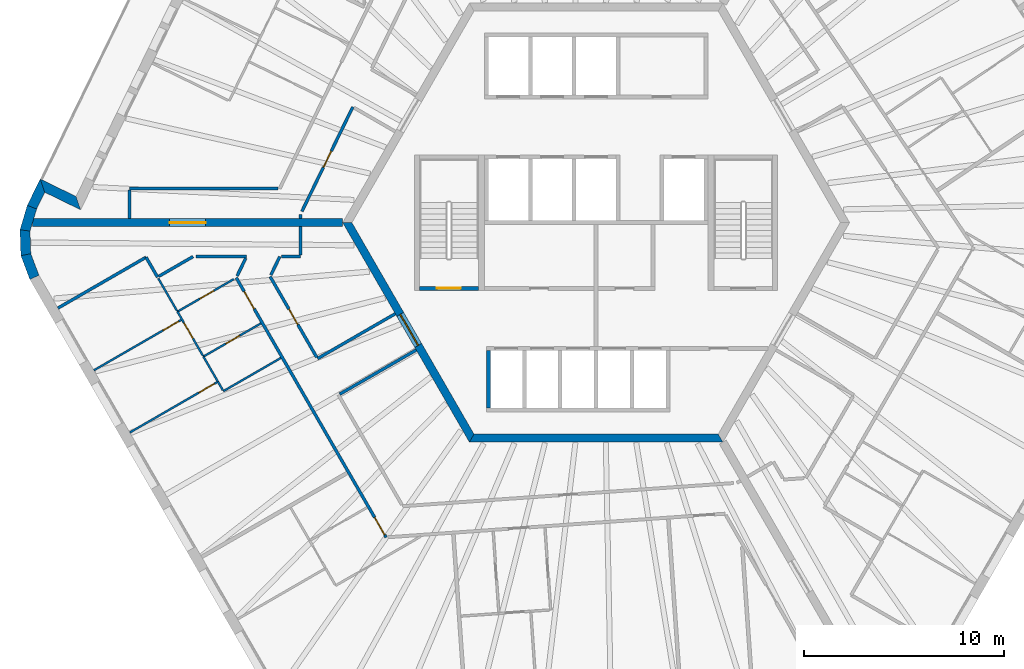
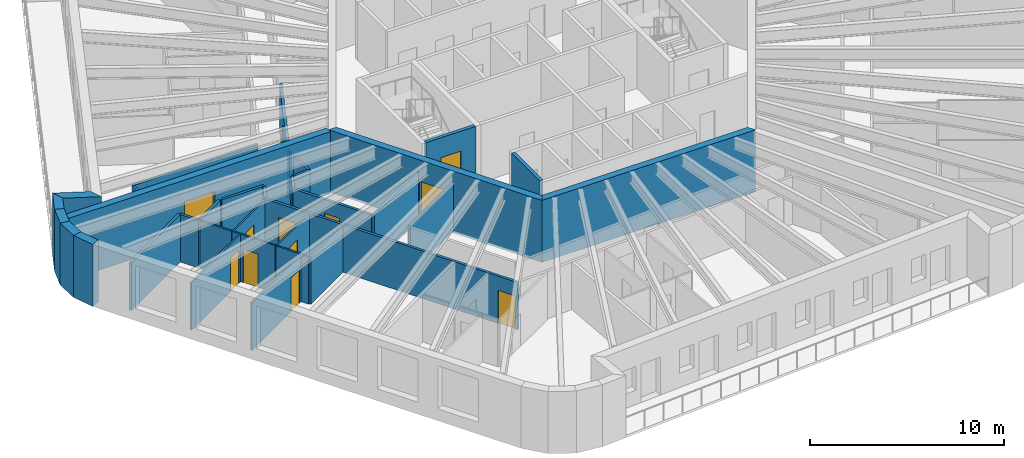
# One storey, part 4 of 12: 35 walls, 12 doors, 12 openings.
"""IFC4 building model written with IfcOpenShell, lengths in metres."""

import ifcopenshell
import ifcopenshell.guid

model = None  # the IFC model being written
_history = None  # IfcOwnerHistory: only IFC2X3 demands one
_inside = {}  # id of a spatial element -> (the spatial element, [elements in it])
_under = {}  # id of a project, library or spatial element -> (it, [spatial elements below it])
_declared = {}  # id of a project -> (the project, [libraries it declares])
_typed = {}  # id of a type object -> (the type object, [elements of that type])
_made_of = {}  # id of a material, layer set ... -> (it, [elements and type objects made of it])


def new_model(schema):
    """Start an empty IFC model of exactly this schema.

    Asked for "IFC4X3", IfcOpenShell would pick the latest addendum, in which some entities
    have other attributes; the version numbers below select the first issue.
    IFC2X3 requires an IfcOwnerHistory on every rooted entity: one is made here for all.
    """
    global model, _history
    if schema == "IFC4X3":
        model = ifcopenshell.file(schema_version=(4, 3, 0, 0))
    else:
        model = ifcopenshell.file(schema=schema)
    _inside.clear()
    _under.clear()
    _declared.clear()
    _typed.clear()
    _made_of.clear()
    _history = None
    if model.schema == "IFC2X3":
        org = make("IfcOrganization", Name="unknown")
        user = make(
            "IfcPersonAndOrganization",
            ThePerson=make("IfcPerson", FamilyName="unknown"),
            TheOrganization=org,
        )
        app = make(
            "IfcApplication",
            ApplicationDeveloper=org,
            Version="unknown",
            ApplicationFullName="unknown",
            ApplicationIdentifier="unknown",
        )
        _history = make(
            "IfcOwnerHistory",
            OwningUser=user,
            OwningApplication=app,
            ChangeAction="ADDED",
            CreationDate=0,
        )
    return model


def make(cls, **values):
    """One entity of the class cls with the attributes given. An attribute that is None is left unset."""
    return model.create_entity(
        cls, **{name: value for name, value in values.items() if value is not None}
    )


def rooted(cls, **values):
    """An entity with a GlobalId (a new one), such as an element, a storey or a relation."""
    return make(cls, GlobalId=ifcopenshell.guid.new(), OwnerHistory=_history, **values)


def si_unit(unit_type, name, prefix=None):
    """IfcSIUnit, for example si_unit("LENGTHUNIT", "METRE", prefix="MILLI")."""
    return make("IfcSIUnit", UnitType=unit_type, Prefix=prefix, Name=name)


def assignment(units):
    """IfcUnitAssignment: the units of a project."""
    return None if units is None else make("IfcUnitAssignment", Units=units)


def point(xyz):
    """IfcCartesianPoint."""
    return None if xyz is None else make("IfcCartesianPoint", Coordinates=xyz)


def direction(xyz):
    """IfcDirection."""
    return None if xyz is None else make("IfcDirection", DirectionRatios=xyz)


def frame(location, z_axis=None, x_axis=None):
    """IfcAxis2Placement3D, a coordinate frame: its origin and axes. An axis left out is left unset."""
    return make(
        "IfcAxis2Placement3D",
        Location=point(location),
        Axis=direction(z_axis),
        RefDirection=direction(x_axis),
    )


def frame_2d(location, x_axis=None):
    """IfcAxis2Placement2D, a coordinate frame in the plane: its origin and x axis."""
    return make(
        "IfcAxis2Placement2D", Location=point(location), RefDirection=direction(x_axis)
    )


def origin():
    """The frame at (0, 0, 0) with its axes left unset."""
    return frame((0.0, 0.0, 0.0))


def place(relative_to, where):
    """IfcLocalPlacement: puts the frame where relative to a parent placement (None: the world)."""
    return make(
        "IfcLocalPlacement", PlacementRelTo=relative_to, RelativePlacement=where
    )


def context(
    kind, dimensions, precision=None, world=None, true_north=None, identifier=None
):
    """IfcGeometricRepresentationContext, for example the 3D "Model" context."""
    return make(
        "IfcGeometricRepresentationContext",
        ContextIdentifier=identifier,
        ContextType=kind,
        CoordinateSpaceDimension=dimensions,
        Precision=precision,
        WorldCoordinateSystem=world,
        TrueNorth=true_north,
    )


def subcontext(parent, identifier, kind, view, scale=None):
    """IfcGeometricRepresentationSubContext, for example "Body" below "Model"."""
    return make(
        "IfcGeometricRepresentationSubContext",
        ContextIdentifier=identifier,
        ContextType=kind,
        ParentContext=parent,
        TargetScale=scale,
        TargetView=view,
    )


def project(units=None, contexts=None):
    """IfcProject with its units and contexts."""
    return rooted(
        "IfcProject",
        Name="project",
        RepresentationContexts=contexts,
        UnitsInContext=assignment(units),
    )


def spatial(cls, under=None, at=None, **own):
    """A site, building, storey or space (cls), placed at a placement, below another one or the project."""
    s = rooted(cls, ObjectPlacement=at, **own)
    if under is not None:
        _under.setdefault(under.id(), (under, []))[1].append(s)
    return s


def polyline(points):
    """IfcPolyline through the points."""
    return make("IfcPolyline", Points=[point(p) for p in points])


def profile(cls, at=None, kind="AREA", **sizes):
    """A parametric profile (cls). Its sizes go by their IFC names, for example OverallWidth=200.0."""
    return make(cls, ProfileType=kind, Position=at, **sizes)


def rectangle(**sizes):
    """IfcRectangleProfileDef."""
    return profile("IfcRectangleProfileDef", **sizes)


def outline(outer, holes=None, kind="AREA"):
    """IfcArbitraryClosedProfileDef: a profile drawn as a closed curve; with holes, ...WithVoids."""
    if holes is None:
        return make("IfcArbitraryClosedProfileDef", ProfileType=kind, OuterCurve=outer)
    return make(
        "IfcArbitraryProfileDefWithVoids",
        ProfileType=kind,
        OuterCurve=outer,
        InnerCurves=holes,
    )


def extrude(swept, where, along, depth):
    """IfcExtrudedAreaSolid: the profile swept, set in the frame where, extruded along a direction by depth."""
    return make(
        "IfcExtrudedAreaSolid",
        SweptArea=swept,
        Position=where,
        ExtrudedDirection=direction(along),
        Depth=depth,
    )


def shape(context_of_items, identifier, shape_type, items):
    """IfcShapeRepresentation: the items that make up one representation, for example the "Body"."""
    return make(
        "IfcShapeRepresentation",
        ContextOfItems=context_of_items,
        RepresentationIdentifier=identifier,
        RepresentationType=shape_type,
        Items=items,
    )


def material(Name=None, Category=None):
    """IfcMaterial."""
    return make("IfcMaterial", Name=Name, Category=Category)


def layer(
    of_material, thickness, ventilated=None, Name=None, Category=None, Priority=None
):
    """IfcMaterialLayer: one layer of a wall or slab, of a material (None: an air gap)."""
    return make(
        "IfcMaterialLayer",
        Material=of_material,
        LayerThickness=thickness,
        IsVentilated=ventilated,
        Name=Name,
        Category=Category,
        Priority=Priority,
    )


def layer_set(layers, Name=None):
    """IfcMaterialLayerSet."""
    return make("IfcMaterialLayerSet", MaterialLayers=layers, LayerSetName=Name)


def made_of(thing, what):
    """Note that an element or type object is made of a material, layer set ...; save() writes the relation."""
    if what is not None:
        _made_of.setdefault(what.id(), (what, []))[1].append(thing)
    return thing


def type_object(cls, material=None, **own):
    """A type object (cls), such as IfcWallType, which elements share."""
    return made_of(rooted(cls, **own), material)


def element(
    cls,
    number,
    at=None,
    inside=None,
    cuts=None,
    type_object=None,
    material=None,
    context=None,
    identifier="Body",
    shape_type=None,
    held_by="IfcProductDefinitionShape",
    body=None,
    shapes=None,
    **own,
):
    """One element of the class cls, such as IfcWall. Its Tag is "e" and its number.

    at: its placement. inside: the storey or other place that contains it. cuts: it is an
    opening in that element (IfcRelVoidsElement). A single representation is given by context,
    identifier, shape_type and body (its items); several are given by shapes. held_by: the class
    of the entity that holds the representations. save() writes the other relations.
    """
    e = rooted(cls, Tag="e%d" % number, ObjectPlacement=at, **own)
    if body is not None:
        shapes = [shape(context, identifier, shape_type, body)]
    if shapes is not None:
        e.Representation = make(held_by, Representations=shapes)
    if inside is not None:
        _inside.setdefault(inside.id(), (inside, []))[1].append(e)
    if cuts is not None:
        rooted(
            "IfcRelVoidsElement", RelatingBuildingElement=cuts, RelatedOpeningElement=e
        )
    if type_object is not None:
        _typed.setdefault(type_object.id(), (type_object, []))[1].append(e)
    return made_of(e, material)


def fill(opening, filler):
    """IfcRelFillsElement: the door or window that sits in an opening."""
    return rooted(
        "IfcRelFillsElement",
        RelatingOpeningElement=opening,
        RelatedBuildingElement=filler,
    )


def aggregate(whole, parts):
    """IfcRelAggregates: a whole, such as a stair, and the parts it consists of."""
    return rooted("IfcRelAggregates", RelatingObject=whole, RelatedObjects=parts)


def save(model, path):
    """Write the relations noted so far, then the file.

    IfcRelAggregates (storeys below a building ...), IfcRelContainedInSpatialStructure (elements
    in a storey), IfcRelDefinesByType, IfcRelAssociatesMaterial and IfcRelDeclares: one each for
    every whole, place, type object, material and project.
    """
    for whole, parts in _under.values():
        aggregate(whole, parts)
    for where, things in _inside.values():
        rooted(
            "IfcRelContainedInSpatialStructure",
            RelatedElements=things,
            RelatingStructure=where,
        )
    for kind, things in _typed.values():
        rooted("IfcRelDefinesByType", RelatedObjects=things, RelatingType=kind)
    for what, things in _made_of.values():
        rooted("IfcRelAssociatesMaterial", RelatedObjects=things, RelatingMaterial=what)
    for by, libraries in _declared.values():
        rooted("IfcRelDeclares", RelatingContext=by, RelatedDefinitions=libraries)
    model.write(path)


model = new_model("IFC4")

# Units and contexts
model_context = context("Model", 3, precision=1e-05, world=origin(), true_north=direction((0.0, 1.0)))
body_context = subcontext(model_context, "Body", "Model", "MODEL_VIEW")
ifc_project = project(units=[si_unit("LENGTHUNIT", "METRE"), si_unit("AREAUNIT", "SQUARE_METRE"), si_unit("VOLUMEUNIT", "CUBIC_METRE"), si_unit("PLANEANGLEUNIT", "RADIAN"), si_unit("MASSUNIT", "GRAM", prefix="KILO")], contexts=[model_context])

# Site, building, storey
site_placement = place(None, origin())
site = spatial("IfcSite", under=ifc_project, at=site_placement, CompositionType="ELEMENT")
building_placement = place(site_placement, origin())
building = spatial("IfcBuilding", under=site, at=building_placement, Name="Tarnside Tower", CompositionType="ELEMENT")
storey_placement = place(building_placement, frame((0.0, 0.0, 310.800048828125)))
storey = spatial("IfcBuildingStorey", under=building, at=storey_placement, Name="L75", CompositionType="ELEMENT", Elevation=310.800048828125)

# Walls
ifc_material_1 = material(Name="Gypsum board partition on steel studs", Category="steel")
ifc_layer_1 = layer(ifc_material_1, 0.10009765625)
ifc_layer_set_1 = layer_set([ifc_layer_1], Name="Bathroom wall 100")
wall_type_1 = type_object("IfcWallType", Name="Bathroom wall 100", PredefinedType="PARTITIONING", material=ifc_layer_set_1)
wall_1_placement = place(storey_placement, frame((-15.80078125, -6.782470703125, 0.0), z_axis=(0.0, 0.0, 1.0), x_axis=(-0.866033959199, -0.499985181294, 0.0)))
element("IfcWall", 1, at=wall_1_placement, inside=storey, type_object=wall_type_1, Name="Bathroom wall 24113", PredefinedType="PARTITIONING", context=body_context, shape_type="SweptSolid", body=[
    extrude(rectangle(XDim=3.32470703125, YDim=0.10009765625, at=frame_2d((1.662353515625, 0.0))), origin(), (0.0, 0.0, 1.0), 2.98779296875),
])
wall_2_placement = place(storey_placement, frame((-18.705322265625, -8.401611328125, 0.0), z_axis=(0.0, 0.0, 1.0), x_axis=(-0.499863173377, 0.866104386261, 0.0)))
element("IfcWall", 2, at=wall_2_placement, inside=storey, type_object=wall_type_1, Name="Bathroom wall 24114", PredefinedType="PARTITIONING", context=body_context, shape_type="SweptSolid", body=[
    extrude(rectangle(XDim=0.500732421875, YDim=0.10009765625, at=frame_2d((0.25048828125, 0.0))), origin(), (0.0, 0.0, 1.0), 2.98779296875),
])

# Wall, opening, door
wall_3_placement = place(storey_placement, frame((-19.68017578125, -6.712890625, 0.0), z_axis=(0.0, 0.0, 1.0), x_axis=(0.866002163101, 0.500040251884, 0.0)))
wall_3 = element("IfcWall", 3, at=wall_3_placement, inside=storey, type_object=wall_type_1, Name="Bathroom wall 24118", PredefinedType="PARTITIONING", context=body_context, shape_type="SweptSolid", body=[
    extrude(rectangle(XDim=3.324951171875, YDim=0.10009765625, at=frame_2d((1.66259765625, 0.0))), origin(), (0.0, 0.0, 1.0), 2.98779296875),
])
opening_1_placement = place(wall_3_placement, frame((1.300048828125, 0.0, 0.0)))
opening_1 = element("IfcOpeningElement", 4, at=opening_1_placement, cuts=wall_3, Name="Opening D-B1", PredefinedType="OPENING", context=body_context, shape_type="SweptSolid", body=[
    extrude(rectangle(XDim=0.800048828125, YDim=2.10009765625, at=frame_2d((0.39990234375, 1.050048828125))), frame((0.0, 0.06005859375, 0.0), z_axis=(0.0, -1.0, 0.0), x_axis=(1.0, 0.0, 0.0)), (0.0, 0.0, 1.0), 0.1201171875),
])
ifc_material_2 = material(Name="Timber door leaf", Category="wood")
door_type_1 = type_object("IfcDoorType", Name="Bathroom door 800", OperationType="NOTDEFINED", PredefinedType="DOOR", material=ifc_material_2)
door_1_placement = place(opening_1_placement, origin())
door_1 = element("IfcDoor", 5, at=door_1_placement, inside=storey, type_object=door_type_1, Name="Bathroom door 24023", OperationType="SINGLE_SWING_LEFT", OverallHeight=2.10009765625, OverallWidth=0.800048828125, PredefinedType="DOOR", context=body_context, shape_type="SweptSolid", body=[
    extrude(rectangle(XDim=0.800048828125, YDim=2.10009765625, at=frame_2d((0.39990234375, 1.050048828125))), frame((0.0, 0.02490234375, 0.0), z_axis=(0.0, -1.0, 0.0), x_axis=(1.0, 0.0, 0.0)), (0.0, 0.0, 1.0), 0.050048828125),
])
fill(opening_1, door_1)

wall_4_placement = place(storey_placement, frame((-18.15185546875, -2.828125, 0.0), z_axis=(0.0, 0.0, 1.0), x_axis=(-0.866012548765, -0.500022264885, 0.0)))
wall_4 = element("IfcWall", 6, at=wall_4_placement, inside=storey, type_object=wall_type_1, Name="Bathroom wall 24121", PredefinedType="PARTITIONING", context=body_context, shape_type="SweptSolid", body=[
    extrude(rectangle(XDim=3.265869140625, YDim=0.10009765625, at=frame_2d((1.6328125, 0.0))), origin(), (0.0, 0.0, 1.0), 2.98779296875),
])
opening_2_placement = place(wall_4_placement, frame((1.165771484375, 0.0, 0.0)))
opening_2 = element("IfcOpeningElement", 7, at=opening_2_placement, cuts=wall_4, Name="Opening D-B1", PredefinedType="OPENING", context=body_context, shape_type="SweptSolid", body=[
    extrude(rectangle(XDim=0.800048828125, YDim=2.10009765625, at=frame_2d((0.39990234375, 1.050048828125))), frame((0.0, 0.06005859375, 0.0), z_axis=(0.0, -1.0, 0.0), x_axis=(1.0, 0.0, 0.0)), (0.0, 0.0, 1.0), 0.1201171875),
])
door_2_placement = place(opening_2_placement, origin())
door_2 = element("IfcDoor", 8, at=door_2_placement, inside=storey, type_object=door_type_1, Name="Bathroom door 24032", OperationType="SINGLE_SWING_RIGHT", OverallHeight=2.10009765625, OverallWidth=0.800048828125, PredefinedType="DOOR", context=body_context, shape_type="SweptSolid", body=[
    extrude(rectangle(XDim=0.800048828125, YDim=2.10009765625, at=frame_2d((0.39990234375, 1.050048828125))), frame((0.0, 0.02490234375, 0.0), z_axis=(0.0, -1.0, 0.0), x_axis=(1.0, 0.0, 0.0)), (0.0, 0.0, 1.0), 0.050048828125),
])
fill(opening_2, door_2)

# Walls
wall_5_placement = place(storey_placement, frame((-19.68115234375, -6.711181640625, 0.0), z_axis=(0.0, 0.0, 1.0), x_axis=(0.499969679245, -0.866042908773, 0.0)))
element("IfcWall", 9, at=wall_5_placement, inside=storey, type_object=wall_type_1, Name="Bathroom wall 24122", PredefinedType="PARTITIONING", context=body_context, shape_type="SweptSolid", body=[
    extrude(rectangle(XDim=1.453125, YDim=0.10009765625, at=frame_2d((0.7265625, 0.0))), origin(), (0.0, 0.0, 1.0), 2.98779296875),
])
wall_6_placement = place(storey_placement, frame((-21.005126953125, -4.41796875, 0.0), z_axis=(0.0, 0.0, 1.0), x_axis=(-0.500004234368, 0.866022959057, 0.0)))
element("IfcWall", 10, at=wall_6_placement, inside=storey, type_object=wall_type_1, Name="Bathroom wall 24124", PredefinedType="PARTITIONING", context=body_context, shape_type="SweptSolid", body=[
    extrude(rectangle(XDim=1.875, YDim=0.10009765625, at=frame_2d((0.9375, 0.0))), origin(), (0.0, 0.0, 1.0), 2.98779296875),
])

# Wall, opening, door
ifc_material_3 = material(Name="Concrete C60/75", Category="concrete")
ifc_layer_2 = layer(ifc_material_3, 0.39990234375)
ifc_layer_set_2 = layer_set([ifc_layer_2], Name="Core wall Z3 400 C60/75")
wall_type_2 = type_object("IfcWallType", Name="Core wall Z3 400 C60/75", PredefinedType="SHEAR", material=ifc_layer_set_2)
wall_7_placement = place(storey_placement, frame((-12.470703125, 0.0, -0.150146484375), z_axis=(0.0, 0.0, 1.0), x_axis=(0.499996419489, -0.866027470984, 0.0)))
wall_7 = element("IfcWall", 11, at=wall_7_placement, inside=storey, type_object=wall_type_2, Name="L75 core wall face 3", PredefinedType="SHEAR", context=body_context, shape_type="SweptSolid", body=[
    extrude(outline(polyline([(-0.115478515625, -0.199951171875), (12.586181640625, -0.199951171875), (12.355224609375, 0.199951171875), (0.115478515625, 0.199951171875), (-0.115478515625, -0.199951171875)])), origin(), (0.0, 0.0, 1.0), 3.900146484375),
])
opening_3_placement = place(wall_7_placement, frame((5.306396484375, 0.0, 0.14990234375)))
opening_3 = element("IfcOpeningElement", 12, at=opening_3_placement, cuts=wall_7, Name="Opening CD-FFL", PredefinedType="OPENING", context=body_context, shape_type="SweptSolid", body=[
    extrude(rectangle(XDim=1.800048828125, YDim=2.39990234375, at=frame_2d((0.89990234375, 1.199951171875))), frame((0.0, 0.2099609375, 0.0), z_axis=(0.0, -1.0, 0.0), x_axis=(1.0, 0.0, 0.0)), (0.0, 0.0, 1.0), 0.419921875),
])
ifc_material_4 = material(Name="Steel fire door", Category="steel")
door_type_2 = type_object("IfcDoorType", Name="Firefighting lobby double door FD60S 1800x2400", OperationType="NOTDEFINED", PredefinedType="DOOR", material=ifc_material_4)
door_3_placement = place(opening_3_placement, origin())
door_3 = element("IfcDoor", 13, at=door_3_placement, inside=storey, type_object=door_type_2, Name="L75 core door P3", OperationType="DOUBLE_DOOR_SINGLE_SWING", OverallHeight=2.39990234375, OverallWidth=1.800048828125, PredefinedType="DOOR", context=body_context, shape_type="SweptSolid", body=[
    extrude(rectangle(XDim=1.800048828125, YDim=2.39990234375, at=frame_2d((0.89990234375, 1.199951171875))), frame((0.0, 0.02490234375, 0.0), z_axis=(0.0, -1.0, 0.0), x_axis=(1.0, 0.0, 0.0)), (0.0, 0.0, 1.0), 0.050048828125),
])
fill(opening_3, door_3)

# Wall
wall_8_placement = place(storey_placement, frame((-6.2353515625, -10.800048828125, -0.150146484375), z_axis=(0.0, 0.0, 1.0), x_axis=(1.0, 0.0, 0.0)))
element("IfcWall", 14, at=wall_8_placement, inside=storey, type_object=wall_type_2, Name="L75 core wall face 4", PredefinedType="SHEAR", context=body_context, shape_type="SweptSolid", body=[
    extrude(outline(polyline([(-0.115478515625, -0.199951171875), (12.586181640625, -0.199951171875), (12.355224609375, 0.199951171875), (0.115478515625, 0.199951171875), (-0.115478515625, -0.199951171875)])), origin(), (0.0, 0.0, 1.0), 3.900146484375),
])

# Wall, opening, door
wall_9_placement = place(storey_placement, frame((-12.70166015625, 0.0, -0.150146484375), z_axis=(0.0, 0.0, 1.0), x_axis=(-1.0, 0.0, 0.0)))
wall_9 = element("IfcWall", 15, at=wall_9_placement, inside=storey, type_object=wall_type_2, Name="L75 spine wall 2", PredefinedType="SHEAR", context=body_context, shape_type="SweptSolid", body=[
    extrude(rectangle(XDim=15.54443359375, YDim=0.39990234375, at=frame_2d((7.772216796875, 0.0))), origin(), (0.0, 0.0, 1.0), 3.900146484375),
])
opening_4_placement = place(wall_9_placement, frame((6.872314453125, 0.0, 0.14990234375)))
opening_4 = element("IfcOpeningElement", 16, at=opening_4_placement, cuts=wall_9, Name="Opening CD-SPN", PredefinedType="OPENING", context=body_context, shape_type="SweptSolid", body=[
    extrude(rectangle(XDim=1.800048828125, YDim=2.39990234375, at=frame_2d((0.89990234375, 1.199951171875))), frame((0.0, 0.2099609375, 0.0), z_axis=(0.0, -1.0, 0.0), x_axis=(1.0, 0.0, 0.0)), (0.0, 0.0, 1.0), 0.419921875),
])
door_type_3 = type_object("IfcDoorType", Name="Spine passage double door FD60 1800x2400", OperationType="NOTDEFINED", PredefinedType="DOOR", material=ifc_material_4)
door_4_placement = place(opening_4_placement, origin())
door_4 = element("IfcDoor", 17, at=door_4_placement, inside=storey, type_object=door_type_3, Name="L75 spine passage door 2", OperationType="DOUBLE_DOOR_SINGLE_SWING", OverallHeight=2.39990234375, OverallWidth=1.800048828125, PredefinedType="DOOR", context=body_context, shape_type="SweptSolid", body=[
    extrude(rectangle(XDim=1.800048828125, YDim=2.39990234375, at=frame_2d((0.89990234375, 1.199951171875))), frame((0.0, 0.02490234375, 0.0), z_axis=(0.0, -1.0, 0.0), x_axis=(1.0, 0.0, 0.0)), (0.0, 0.0, 1.0), 0.050048828125),
])
fill(opening_4, door_4)

# Walls
ifc_layer_3 = layer(ifc_material_1, 0.14990234375)
ifc_layer_set_3 = layer_set([ifc_layer_3], Name="Corridor wall 150 EI 60")
wall_type_3 = type_object("IfcWallType", Name="Corridor wall 150 EI 60", PredefinedType="PARTITIONING", material=ifc_layer_set_3)
wall_10_placement = place(storey_placement, frame((-15.943359375, 1.699951171875, 0.0), z_axis=(0.0, 0.0, 1.0), x_axis=(-1.0, 0.0, 0.0)))
element("IfcWall", 18, at=wall_10_placement, inside=storey, type_object=wall_type_3, Name="Corridor wall 24013", PredefinedType="PARTITIONING", context=body_context, shape_type="SweptSolid", body=[
    extrude(rectangle(XDim=7.4306640625, YDim=0.14990234375, at=frame_2d((3.71533203125, 0.0))), origin(), (0.0, 0.0, 1.0), 2.98779296875),
])
wall_11_placement = place(storey_placement, frame((-23.3740234375, 1.625, 0.0), z_axis=(0.0, 0.0, 1.0), x_axis=(0.0, -1.0, 0.0)))
element("IfcWall", 19, at=wall_11_placement, inside=storey, type_object=wall_type_3, Name="Corridor wall 24014", PredefinedType="PARTITIONING", context=body_context, shape_type="SweptSolid", body=[
    extrude(rectangle(XDim=1.425048828125, YDim=0.14990234375, at=frame_2d((0.71240234375, 0.0))), origin(), (0.0, 0.0, 1.0), 2.98779296875),
])
wall_12_placement = place(storey_placement, frame((-14.820068359375, 0.199951171875, 0.0), z_axis=(0.0, 0.0, 1.0), x_axis=(0.0, 1.0, 0.0)))
element("IfcWall", 20, at=wall_12_placement, inside=storey, type_object=wall_type_3, Name="Corridor wall 24023", PredefinedType="PARTITIONING", context=body_context, shape_type="SweptSolid", body=[
    extrude(rectangle(XDim=0.210205078125, YDim=0.14990234375, at=frame_2d((0.10498046875, 0.0))), origin(), (0.0, 0.0, 1.0), 2.98779296875),
])

# Wall, opening, door
wall_13_placement = place(storey_placement, frame((-14.7451171875, 0.563720703125, 0.0), z_axis=(0.0, 0.0, 1.0), x_axis=(0.438348416625, 0.898805132185, 0.0)))
wall_13 = element("IfcWall", 21, at=wall_13_placement, inside=storey, type_object=wall_type_3, Name="Corridor wall 24024", PredefinedType="PARTITIONING", context=body_context, shape_type="SweptSolid", body=[
    extrude(rectangle(XDim=5.819580078125, YDim=0.14990234375, at=frame_2d((2.90966796875, 0.0))), origin(), (0.0, 0.0, 1.0), 2.98779296875),
])
opening_5_placement = place(wall_13_placement, frame((2.459716796875, 0.0, 0.0)))
opening_5 = element("IfcOpeningElement", 22, at=opening_5_placement, cuts=wall_13, Name="Opening D-S1", PredefinedType="OPENING", context=body_context, shape_type="SweptSolid", body=[
    extrude(rectangle(XDim=0.89990234375, YDim=2.10009765625, at=frame_2d((0.449951171875, 1.050048828125))), frame((0.0, 0.0849609375, 0.0), z_axis=(0.0, -1.0, 0.0), x_axis=(1.0, 0.0, 0.0)), (0.0, 0.0, 1.0), 0.169921875),
])
door_type_4 = type_object("IfcDoorType", Name="Service room door 900 FD30S", OperationType="NOTDEFINED", PredefinedType="DOOR", material=ifc_material_2)
door_5_placement = place(opening_5_placement, origin())
door_5 = element("IfcDoor", 23, at=door_5_placement, inside=storey, type_object=door_type_4, Name="Service door 24064", OperationType="SINGLE_SWING_RIGHT", OverallHeight=2.10009765625, OverallWidth=0.89990234375, PredefinedType="DOOR", context=body_context, shape_type="SweptSolid", body=[
    extrude(rectangle(XDim=0.89990234375, YDim=2.10009765625, at=frame_2d((0.449951171875, 1.050048828125))), frame((0.0, 0.02490234375, 0.0), z_axis=(0.0, -1.0, 0.0), x_axis=(1.0, 0.0, 0.0)), (0.0, 0.0, 1.0), 0.050048828125),
])
fill(opening_5, door_5)

# Wall, openings, doors
wall_14_placement = place(storey_placement, frame((-18.03564453125, -2.76123046875, 0.0), z_axis=(0.0, 0.0, 1.0), x_axis=(0.499996279807, -0.866027551628, 0.0)))
wall_14 = element("IfcWall", 24, at=wall_14_placement, inside=storey, type_object=wall_type_3, Name="Corridor wall 24026", PredefinedType="PARTITIONING", context=body_context, shape_type="SweptSolid", body=[
    extrude(rectangle(XDim=15.02392578125, YDim=0.14990234375, at=frame_2d((7.511962890625, 0.0))), origin(), (0.0, 0.0, 1.0), 2.98779296875),
])
opening_6_placement = place(wall_14_placement, frame((0.800048828125, 0.0, 0.0)))
opening_6 = element("IfcOpeningElement", 25, at=opening_6_placement, cuts=wall_14, Name="Opening D-E1", PredefinedType="OPENING", context=body_context, shape_type="SweptSolid", body=[
    extrude(rectangle(XDim=1.0, YDim=2.10009765625, at=frame_2d((0.5, 1.050048828125))), frame((0.0, 0.0849609375, 0.0), z_axis=(0.0, -1.0, 0.0), x_axis=(1.0, 0.0, 0.0)), (0.0, 0.0, 1.0), 0.169921875),
])
opening_7_placement = place(wall_14_placement, frame((13.874267578125, 0.0, 0.0)))
opening_7 = element("IfcOpeningElement", 26, at=opening_7_placement, cuts=wall_14, Name="Opening D-E1", PredefinedType="OPENING", context=body_context, shape_type="SweptSolid", body=[
    extrude(rectangle(XDim=1.0, YDim=2.10009765625, at=frame_2d((0.5, 1.050048828125))), frame((0.0, 0.0849609375, 0.0), z_axis=(0.0, -1.0, 0.0), x_axis=(1.0, 0.0, 0.0)), (0.0, 0.0, 1.0), 0.169921875),
])
door_type_5 = type_object("IfcDoorType", Name="Unit entrance door 1000 FD30S", OperationType="NOTDEFINED", PredefinedType="DOOR", material=ifc_material_2)
door_6_placement = place(opening_6_placement, origin())
door_6 = element("IfcDoor", 27, at=door_6_placement, inside=storey, type_object=door_type_5, Name="Unit door 24022", OperationType="SINGLE_SWING_RIGHT", OverallHeight=2.10009765625, OverallWidth=1.0, PredefinedType="DOOR", context=body_context, shape_type="SweptSolid", body=[
    extrude(rectangle(XDim=1.0, YDim=2.10009765625, at=frame_2d((0.5, 1.050048828125))), frame((0.0, 0.02490234375, 0.0), z_axis=(0.0, -1.0, 0.0), x_axis=(1.0, 0.0, 0.0)), (0.0, 0.0, 1.0), 0.050048828125),
])
fill(opening_6, door_6)
door_7_placement = place(opening_7_placement, origin())
door_7 = element("IfcDoor", 28, at=door_7_placement, inside=storey, type_object=door_type_5, Name="Unit door 24033", OperationType="SINGLE_SWING_LEFT", OverallHeight=2.10009765625, OverallWidth=1.0, PredefinedType="DOOR", context=body_context, shape_type="SweptSolid", body=[
    extrude(rectangle(XDim=1.0, YDim=2.10009765625, at=frame_2d((0.5, 1.050048828125))), frame((0.0, 0.02490234375, 0.0), z_axis=(0.0, -1.0, 0.0), x_axis=(1.0, 0.0, 0.0)), (0.0, 0.0, 1.0), 0.050048828125),
])
fill(opening_7, door_7)

# Walls
wall_15_placement = place(storey_placement, frame((-26.97119140625, -4.284423828125, 0.0), z_axis=(0.0, 0.0, 1.0), x_axis=(0.866024511559, 0.500001545377, 0.0)))
element("IfcWall", 29, at=wall_15_placement, inside=storey, type_object=wall_type_3, Name="Corridor wall 24029", PredefinedType="PARTITIONING", context=body_context, shape_type="SweptSolid", body=[
    extrude(rectangle(XDim=5.0986328125, YDim=0.14990234375, at=frame_2d((2.54931640625, 0.0))), origin(), (0.0, 0.0, 1.0), 2.98779296875),
])
wall_16_placement = place(storey_placement, frame((-22.553955078125, -1.735595703125, 0.0), z_axis=(0.0, 0.0, 1.0), x_axis=(0.500040764516, -0.866001867101, 0.0)))
element("IfcWall", 30, at=wall_16_placement, inside=storey, type_object=wall_type_3, Name="Corridor wall 24030", PredefinedType="PARTITIONING", context=body_context, shape_type="SweptSolid", body=[
    extrude(rectangle(XDim=1.15087890625, YDim=0.14990234375, at=frame_2d((0.575439453125, 0.0))), origin(), (0.0, 0.0, 1.0), 2.98779296875),
])
wall_17_placement = place(storey_placement, frame((-21.915283203125, -2.691650390625, 0.0), z_axis=(0.0, 0.0, 1.0), x_axis=(0.866007234284, 0.500031469177, 0.0)))
element("IfcWall", 31, at=wall_17_placement, inside=storey, type_object=wall_type_3, Name="Corridor wall 24031", PredefinedType="PARTITIONING", context=body_context, shape_type="SweptSolid", body=[
    extrude(rectangle(XDim=1.983154296875, YDim=0.14990234375, at=frame_2d((0.99169921875, 0.0))), origin(), (0.0, 0.0, 1.0), 2.98779296875),
])
wall_18_placement = place(storey_placement, frame((-20.0478515625, -1.699951171875, 0.0), z_axis=(0.0, 0.0, 1.0), x_axis=(1.0, 0.0, 0.0)))
element("IfcWall", 32, at=wall_18_placement, inside=storey, type_object=wall_type_3, Name="Corridor wall 24032", PredefinedType="PARTITIONING", context=body_context, shape_type="SweptSolid", body=[
    extrude(rectangle(XDim=2.52978515625, YDim=0.14990234375, at=frame_2d((1.264892578125, 0.0))), origin(), (0.0, 0.0, 1.0), 2.98779296875),
])
wall_19_placement = place(storey_placement, frame((-17.5546875, -1.77490234375, 0.0), z_axis=(0.0, 0.0, 1.0), x_axis=(-0.438366307753, -0.898796406439, 0.0)))
element("IfcWall", 33, at=wall_19_placement, inside=storey, type_object=wall_type_3, Name="Corridor wall 24033", PredefinedType="PARTITIONING", context=body_context, shape_type="SweptSolid", body=[
    extrude(rectangle(XDim=1.0068359375, YDim=0.14990234375, at=frame_2d((0.50341796875, 0.0))), origin(), (0.0, 0.0, 1.0), 2.98779296875),
])
wall_20_placement = place(storey_placement, frame((-10.065673828125, -4.565673828125, 0.0), z_axis=(0.0, 0.0, 1.0), x_axis=(-0.866031096941, -0.499990139034, 0.0)))
element("IfcWall", 34, at=wall_20_placement, inside=storey, type_object=wall_type_3, Name="Corridor wall 24045", PredefinedType="PARTITIONING", context=body_context, shape_type="SweptSolid", body=[
    extrude(rectangle(XDim=4.5, YDim=0.14990234375, at=frame_2d((2.25, 0.0))), origin(), (0.0, 0.0, 1.0), 2.98779296875),
])

# Wall, opening, door
wall_21_placement = place(storey_placement, frame((-14.000244140625, -6.750732421875, 0.0), z_axis=(0.0, 0.0, 1.0), x_axis=(-0.500008739126, 0.866020358189, 0.0)))
wall_21 = element("IfcWall", 35, at=wall_21_placement, inside=storey, type_object=wall_type_3, Name="Corridor wall 24046", PredefinedType="PARTITIONING", context=body_context, shape_type="SweptSolid", body=[
    extrude(rectangle(XDim=4.67529296875, YDim=0.14990234375, at=frame_2d((2.337646484375, 0.0))), origin(), (0.0, 0.0, 1.0), 2.98779296875),
])
opening_8_placement = place(wall_21_placement, frame((1.8876953125, 0.0, 0.0)))
opening_8 = element("IfcOpeningElement", 36, at=opening_8_placement, cuts=wall_21, Name="Opening D-S1", PredefinedType="OPENING", context=body_context, shape_type="SweptSolid", body=[
    extrude(rectangle(XDim=0.89990234375, YDim=2.10009765625, at=frame_2d((0.449951171875, 1.050048828125))), frame((0.0, 0.0849609375, 0.0), z_axis=(0.0, -1.0, 0.0), x_axis=(1.0, 0.0, 0.0)), (0.0, 0.0, 1.0), 0.169921875),
])
door_8_placement = place(opening_8_placement, origin())
door_8 = element("IfcDoor", 37, at=door_8_placement, inside=storey, type_object=door_type_4, Name="Service door 24065", OperationType="SINGLE_SWING_RIGHT", OverallHeight=2.10009765625, OverallWidth=0.89990234375, PredefinedType="DOOR", context=body_context, shape_type="SweptSolid", body=[
    extrude(rectangle(XDim=0.89990234375, YDim=2.10009765625, at=frame_2d((0.449951171875, 1.050048828125))), frame((0.0, 0.02490234375, 0.0), z_axis=(0.0, -1.0, 0.0), x_axis=(1.0, 0.0, 0.0)), (0.0, 0.0, 1.0), 0.050048828125),
])
fill(opening_8, door_8)

# Walls
wall_22_placement = place(storey_placement, frame((-16.29833984375, -2.62060546875, 0.0), z_axis=(0.0, 0.0, 1.0), x_axis=(0.438325013788, 0.898816545402, 0.0)))
element("IfcWall", 38, at=wall_22_placement, inside=storey, type_object=wall_type_3, Name="Corridor wall 24047", PredefinedType="PARTITIONING", context=body_context, shape_type="SweptSolid", body=[
    extrude(rectangle(XDim=1.0244140625, YDim=0.14990234375, at=frame_2d((0.51220703125, 0.0))), origin(), (0.0, 0.0, 1.0), 2.98779296875),
])
wall_23_placement = place(storey_placement, frame((-15.765869140625, -1.699951171875, 0.0), z_axis=(0.0, 0.0, 1.0), x_axis=(1.0, 0.0, 0.0)))
element("IfcWall", 39, at=wall_23_placement, inside=storey, type_object=wall_type_3, Name="Corridor wall 24048", PredefinedType="PARTITIONING", context=body_context, shape_type="SweptSolid", body=[
    extrude(rectangle(XDim=0.94580078125, YDim=0.14990234375, at=frame_2d((0.472900390625, 0.0))), origin(), (0.0, 0.0, 1.0), 2.98779296875),
])
wall_24_placement = place(storey_placement, frame((-14.820068359375, -1.625, 0.0), z_axis=(0.0, 0.0, 1.0), x_axis=(0.0, 1.0, 0.0)))
element("IfcWall", 40, at=wall_24_placement, inside=storey, type_object=wall_type_3, Name="Corridor wall 24049", PredefinedType="PARTITIONING", context=body_context, shape_type="SweptSolid", body=[
    extrude(rectangle(XDim=1.425048828125, YDim=0.14990234375, at=frame_2d((0.71240234375, 0.0))), origin(), (0.0, 0.0, 1.0), 2.98779296875),
])
wall_25_placement = place(storey_placement, frame((-12.847900390625, -8.596923828125, 0.0), z_axis=(0.0, 0.0, 1.0), x_axis=(0.866017452598, 0.500013771606, 0.0)))
element("IfcWall", 41, at=wall_25_placement, inside=storey, type_object=wall_type_3, Name="Corridor wall 24053", PredefinedType="PARTITIONING", context=body_context, shape_type="SweptSolid", body=[
    extrude(rectangle(XDim=4.42529296875, YDim=0.14990234375, at=frame_2d((2.212646484375, 0.0))), origin(), (0.0, 0.0, 1.0), 2.98779296875),
])
ifc_material_5 = material(Name="Concrete C40/50", Category="concrete")
ifc_layer_4 = layer(ifc_material_5, 0.199951171875)
ifc_layer_set_4 = layer_set([ifc_layer_4], Name="Lift shaft wall 200 C40/50")
wall_type_4 = type_object("IfcWallType", Name="Lift shaft wall 200 C40/50", PredefinedType="SHEAR", material=ifc_layer_set_4)
wall_26_placement = place(storey_placement, frame((-5.39990234375, -9.300048828125, -0.25), z_axis=(0.0, 0.0, 1.0), x_axis=(0.0, 1.0, 0.0)))
element("IfcWall", 42, at=wall_26_placement, inside=storey, type_object=wall_type_4, Name="L75 lift shaft partition R41", PredefinedType="SHEAR", context=body_context, shape_type="SweptSolid", body=[
    extrude(rectangle(XDim=2.900146484375, YDim=0.199951171875, at=frame_2d((1.4501953125, 0.0))), origin(), (0.0, 0.0, 1.0), 3.89990234375),
])

# Wall, opening, door
wall_27_placement = place(storey_placement, frame((-8.85009765625, -3.300048828125, -0.25), z_axis=(0.0, 0.0, 1.0), x_axis=(1.0, 0.0, 0.0)))
wall_27 = element("IfcWall", 43, at=wall_27_placement, inside=storey, type_object=wall_type_4, Name="L75 stair 2 enclosure cap wall s", PredefinedType="SHEAR", context=body_context, shape_type="SweptSolid", body=[
    extrude(rectangle(XDim=2.9501953125, YDim=0.199951171875, at=frame_2d((1.47509765625, 0.0))), origin(), (0.0, 0.0, 1.0), 3.89990234375),
])
opening_9_placement = place(wall_27_placement, frame((0.875, 0.0, 0.25)))
opening_9 = element("IfcOpeningElement", 44, at=opening_9_placement, cuts=wall_27, Name="Opening CD-STR", PredefinedType="OPENING", context=body_context, shape_type="SweptSolid", body=[
    extrude(rectangle(XDim=1.199951171875, YDim=2.39990234375, at=frame_2d((0.60009765625, 1.199951171875))), frame((0.0, 0.10986328125, 0.0), z_axis=(0.0, -1.0, 0.0), x_axis=(1.0, 0.0, 0.0)), (0.0, 0.0, 1.0), 0.219970703125),
])
door_type_6 = type_object("IfcDoorType", Name="Stair door FD60S 1200x2400", OperationType="NOTDEFINED", PredefinedType="DOOR", material=ifc_material_4)
door_9_placement = place(opening_9_placement, origin())
door_9 = element("IfcDoor", 45, at=door_9_placement, inside=storey, type_object=door_type_6, Name="L75 stair 2 door", OperationType="SINGLE_SWING_LEFT", OverallHeight=2.39990234375, OverallWidth=1.199951171875, PredefinedType="DOOR", context=body_context, shape_type="SweptSolid", body=[
    extrude(rectangle(XDim=1.199951171875, YDim=2.39990234375, at=frame_2d((0.60009765625, 1.199951171875))), frame((0.0, 0.02490234375, 0.0), z_axis=(0.0, -1.0, 0.0), x_axis=(1.0, 0.0, 0.0)), (0.0, 0.0, 1.0), 0.050048828125),
])
fill(opening_9, door_9)

# Walls
ifc_material_6 = material(Name="Dark zinc cladding")
ifc_layer_5 = layer(ifc_material_6, 0.10205078125)
ifc_material_7 = material(Name="Concrete C60/75 precast", Category="concrete")
ifc_layer_6 = layer(ifc_material_7, 0.298095703125)
ifc_material_8 = material(Name="Mineral wool insulation")
ifc_layer_7 = layer(ifc_material_8, 0.10009765625)
ifc_layer_set_5 = layer_set([ifc_layer_5, ifc_layer_6, ifc_layer_7], Name="Loggia wall 500 zinc faced")
wall_type_5 = type_object("IfcWallType", Name="Loggia wall 500 zinc faced", PredefinedType="SOLIDWALL", material=ifc_layer_set_5)
wall_28_placement = place(storey_placement, frame((-25.9482421875, 0.97607421875, -0.150146484375), z_axis=(0.0, 0.0, 1.0), x_axis=(-0.898802465371, 0.438353884714, 0.0)))
element("IfcWall", 46, at=wall_28_placement, inside=storey, type_object=wall_type_5, Name="Tube wall L75 F2 return 07", PredefinedType="SOLIDWALL", context=body_context, shape_type="SweptSolid", body=[
    extrude(outline(polyline([(0.25, -0.25), (2.25, -0.25), (1.75, 0.25), (-0.25, 0.25), (0.25, -0.25)])), origin(), (0.0, 0.0, 1.0), 3.900146484375),
])
wall_29_placement = place(storey_placement, frame((-27.745849609375, 1.852783203125, -0.150146484375), z_axis=(0.0, 0.0, 1.0), x_axis=(-0.438319390103, -0.898819287877, 0.0)))
element("IfcWall", 47, at=wall_29_placement, inside=storey, type_object=wall_type_5, Name="Tube wall L75 F2 stub 08", PredefinedType="SOLIDWALL", context=body_context, shape_type="SweptSolid", body=[
    extrude(outline(polyline([(-0.25, -0.25), (1.22021484375, -0.25), (1.17919921875, 0.25), (0.25, 0.25), (-0.25, -0.25)])), origin(), (0.0, 0.0, 1.0), 3.900146484375),
])

# Wall, opening, door
ifc_layer_8 = layer(ifc_material_1, 0.10009765625)
ifc_layer_set_6 = layer_set([ifc_layer_8], Name="Partition 100")
wall_type_6 = type_object("IfcWallType", Name="Partition 100", PredefinedType="PARTITIONING", material=ifc_layer_set_6)
wall_30_placement = place(storey_placement, frame((-18.997802734375, -7.994873046875, 0.0), z_axis=(0.0, 0.0, 1.0), x_axis=(-0.866039067339, -0.499976333282, 0.0)))
wall_30 = element("IfcWall", 48, at=wall_30_placement, inside=storey, type_object=wall_type_6, Name="Partition wall 24115", PredefinedType="PARTITIONING", context=body_context, shape_type="SweptSolid", body=[
    extrude(rectangle(XDim=5.050048828125, YDim=0.10009765625, at=frame_2d((2.52490234375, 0.0))), origin(), (0.0, 0.0, 1.0), 2.98779296875),
])
opening_10_placement = place(wall_30_placement, frame((0.14990234375, 0.0, 0.0)))
opening_10 = element("IfcOpeningElement", 49, at=opening_10_placement, cuts=wall_30, Name="Opening D-I1", PredefinedType="OPENING", context=body_context, shape_type="SweptSolid", body=[
    extrude(rectangle(XDim=0.89990234375, YDim=2.10009765625, at=frame_2d((0.449951171875, 1.050048828125))), frame((0.0, 0.06005859375, 0.0), z_axis=(0.0, -1.0, 0.0), x_axis=(1.0, 0.0, 0.0)), (0.0, 0.0, 1.0), 0.1201171875),
])
door_type_7 = type_object("IfcDoorType", Name="Internal door 900", OperationType="NOTDEFINED", PredefinedType="DOOR", material=ifc_material_2)
door_10_placement = place(opening_10_placement, origin())
door_10 = element("IfcDoor", 50, at=door_10_placement, inside=storey, type_object=door_type_7, Name="Internal door 24031", OperationType="SINGLE_SWING_RIGHT", OverallHeight=2.10009765625, OverallWidth=0.89990234375, PredefinedType="DOOR", context=body_context, shape_type="SweptSolid", body=[
    extrude(rectangle(XDim=0.89990234375, YDim=2.10009765625, at=frame_2d((0.449951171875, 1.050048828125))), frame((0.0, 0.02490234375, 0.0), z_axis=(0.0, -1.0, 0.0), x_axis=(1.0, 0.0, 0.0)), (0.0, 0.0, 1.0), 0.050048828125),
])
fill(opening_10, door_10)

wall_31_placement = place(storey_placement, frame((-20.981201171875, -4.45947265625, 0.0), z_axis=(0.0, 0.0, 1.0), x_axis=(0.500056202316, -0.865992952931, 0.0)))
wall_31 = element("IfcWall", 51, at=wall_31_placement, inside=storey, type_object=wall_type_6, Name="Partition wall 24119", PredefinedType="PARTITIONING", context=body_context, shape_type="SweptSolid", body=[
    extrude(rectangle(XDim=2.553955078125, YDim=0.10009765625, at=frame_2d((1.27685546875, 0.0))), origin(), (0.0, 0.0, 1.0), 2.98779296875),
])
opening_11_placement = place(wall_31_placement, frame((0.6533203125, 0.0, 0.0)))
opening_11 = element("IfcOpeningElement", 52, at=opening_11_placement, cuts=wall_31, Name="Opening D-I1", PredefinedType="OPENING", context=body_context, shape_type="SweptSolid", body=[
    extrude(rectangle(XDim=0.89990234375, YDim=2.10009765625, at=frame_2d((0.449951171875, 1.050048828125))), frame((0.0, 0.06005859375, 0.0), z_axis=(0.0, -1.0, 0.0), x_axis=(1.0, 0.0, 0.0)), (0.0, 0.0, 1.0), 0.1201171875),
])
door_11_placement = place(opening_11_placement, origin())
door_11 = element("IfcDoor", 53, at=door_11_placement, inside=storey, type_object=door_type_7, Name="Internal door 24026", OperationType="SINGLE_SWING_LEFT", OverallHeight=2.10009765625, OverallWidth=0.89990234375, PredefinedType="DOOR", context=body_context, shape_type="SweptSolid", body=[
    extrude(rectangle(XDim=0.89990234375, YDim=2.10009765625, at=frame_2d((0.449951171875, 1.050048828125))), frame((0.0, 0.02490234375, 0.0), z_axis=(0.0, -1.0, 0.0), x_axis=(1.0, 0.0, 0.0)), (0.0, 0.0, 1.0), 0.050048828125),
])
fill(opening_11, door_11)

wall_32_placement = place(storey_placement, frame((-25.171142578125, -7.402099609375, 0.0), z_axis=(0.0, 0.0, 1.0), x_axis=(0.866026981659, 0.499997267031, 0.0)))
wall_32 = element("IfcWall", 54, at=wall_32_placement, inside=storey, type_object=wall_type_6, Name="Partition wall 24123", PredefinedType="PARTITIONING", context=body_context, shape_type="SweptSolid", body=[
    extrude(rectangle(XDim=5.0498046875, YDim=0.10009765625, at=frame_2d((2.52490234375, 0.0))), origin(), (0.0, 0.0, 1.0), 2.98779296875),
])
opening_12_placement = place(wall_32_placement, frame((4.0, 0.0, 0.0)))
opening_12 = element("IfcOpeningElement", 55, at=opening_12_placement, cuts=wall_32, Name="Opening D-I1", PredefinedType="OPENING", context=body_context, shape_type="SweptSolid", body=[
    extrude(rectangle(XDim=0.89990234375, YDim=2.10009765625, at=frame_2d((0.449951171875, 1.050048828125))), frame((0.0, 0.06005859375, 0.0), z_axis=(0.0, -1.0, 0.0), x_axis=(1.0, 0.0, 0.0)), (0.0, 0.0, 1.0), 0.1201171875),
])
door_12_placement = place(opening_12_placement, origin())
door_12 = element("IfcDoor", 56, at=door_12_placement, inside=storey, type_object=door_type_7, Name="Internal door 24029", OperationType="SINGLE_SWING_RIGHT", OverallHeight=2.10009765625, OverallWidth=0.89990234375, PredefinedType="DOOR", context=body_context, shape_type="SweptSolid", body=[
    extrude(rectangle(XDim=0.89990234375, YDim=2.10009765625, at=frame_2d((0.449951171875, 1.050048828125))), frame((0.0, 0.02490234375, 0.0), z_axis=(0.0, -1.0, 0.0), x_axis=(1.0, 0.0, 0.0)), (0.0, 0.0, 1.0), 0.050048828125),
])
fill(opening_12, door_12)

# Walls
ifc_material_9 = material(Name="Facing brick", Category="masonry")
ifc_layer_9 = layer(ifc_material_9, 0.10205078125)
ifc_layer_10 = layer(ifc_material_7, 0.298095703125)
ifc_layer_11 = layer(ifc_material_8, 0.10009765625)
ifc_layer_set_7 = layer_set([ifc_layer_9, ifc_layer_10, ifc_layer_11], Name="Tube wall 500 brick faced")
wall_type_7 = type_object("IfcWallType", Name="Tube wall 500 brick faced", PredefinedType="SOLIDWALL", material=ifc_layer_set_7)
wall_33_placement = place(storey_placement, frame((-28.271728515625, 0.7744140625, -0.150146484375), z_axis=(0.0, 0.0, 1.0), x_axis=(-0.286813843218, -0.957986335674, 0.0)))
element("IfcWall", 57, at=wall_33_placement, inside=storey, type_object=wall_type_7, Name="Tube wall L75 F2 chord 09", PredefinedType="SOLIDWALL", context=body_context, shape_type="SweptSolid", body=[
    extrude(outline(polyline([(-0.0205078125, -0.25), (1.25732421875, -0.25), (1.17529296875, 0.25), (0.0205078125, 0.25), (-0.0205078125, -0.25)])), origin(), (0.0, 0.0, 1.0), 3.900146484375),
])
wall_34_placement = place(storey_placement, frame((-28.62060546875, -0.390869140625, -0.150146484375), z_axis=(0.0, 0.0, 1.0), x_axis=(0.034925456137, -0.999389920158, 0.0)))
element("IfcWall", 58, at=wall_34_placement, inside=storey, type_object=wall_type_7, Name="Tube wall L75 F2 chord 10", PredefinedType="SOLIDWALL", context=body_context, shape_type="SweptSolid", body=[
    extrude(outline(polyline([(-0.041015625, -0.25), (1.25732421875, -0.25), (1.17529296875, 0.25), (0.041015625, 0.25), (-0.041015625, -0.25)])), origin(), (0.0, 0.0, 1.0), 3.900146484375),
])
wall_35_placement = place(storey_placement, frame((-28.578125, -1.6064453125, -0.150146484375), z_axis=(0.0, 0.0, 1.0), x_axis=(0.352838463023, -0.935684251771, 0.0)))
element("IfcWall", 59, at=wall_35_placement, inside=storey, type_object=wall_type_7, Name="Tube wall L75 F2 chord 11", PredefinedType="SOLIDWALL", context=body_context, shape_type="SweptSolid", body=[
    extrude(outline(polyline([(-0.041015625, -0.25), (1.23681640625, -0.25), (1.19580078125, 0.25), (0.041015625, 0.25), (-0.041015625, -0.25)])), origin(), (0.0, 0.0, 1.0), 3.900146484375),
])

save(model, "model.ifc")
